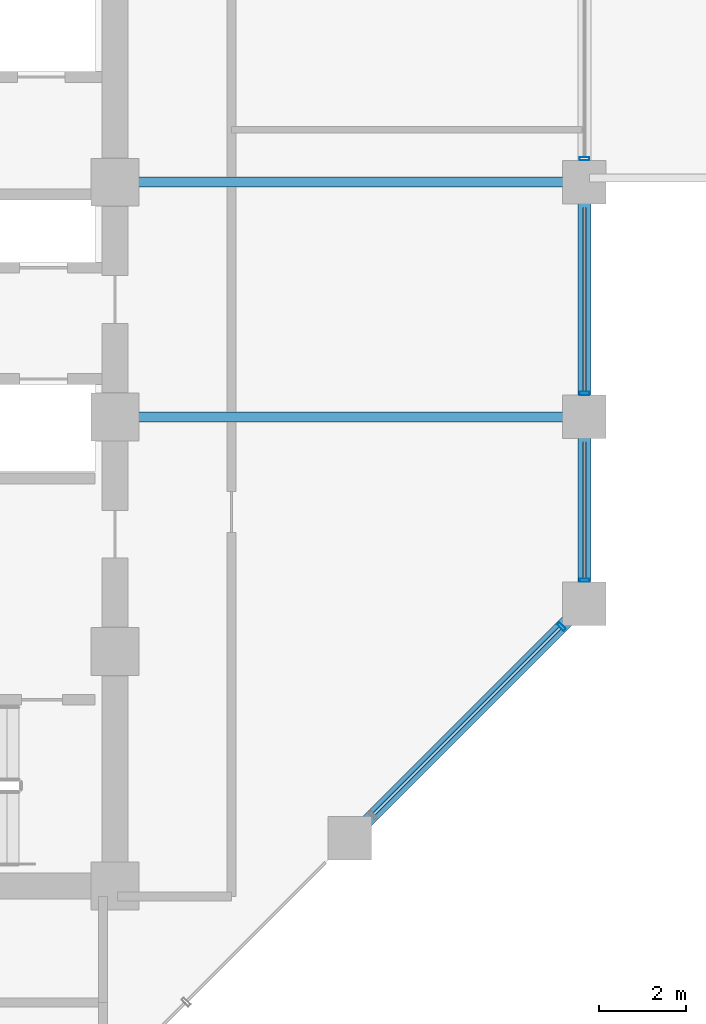
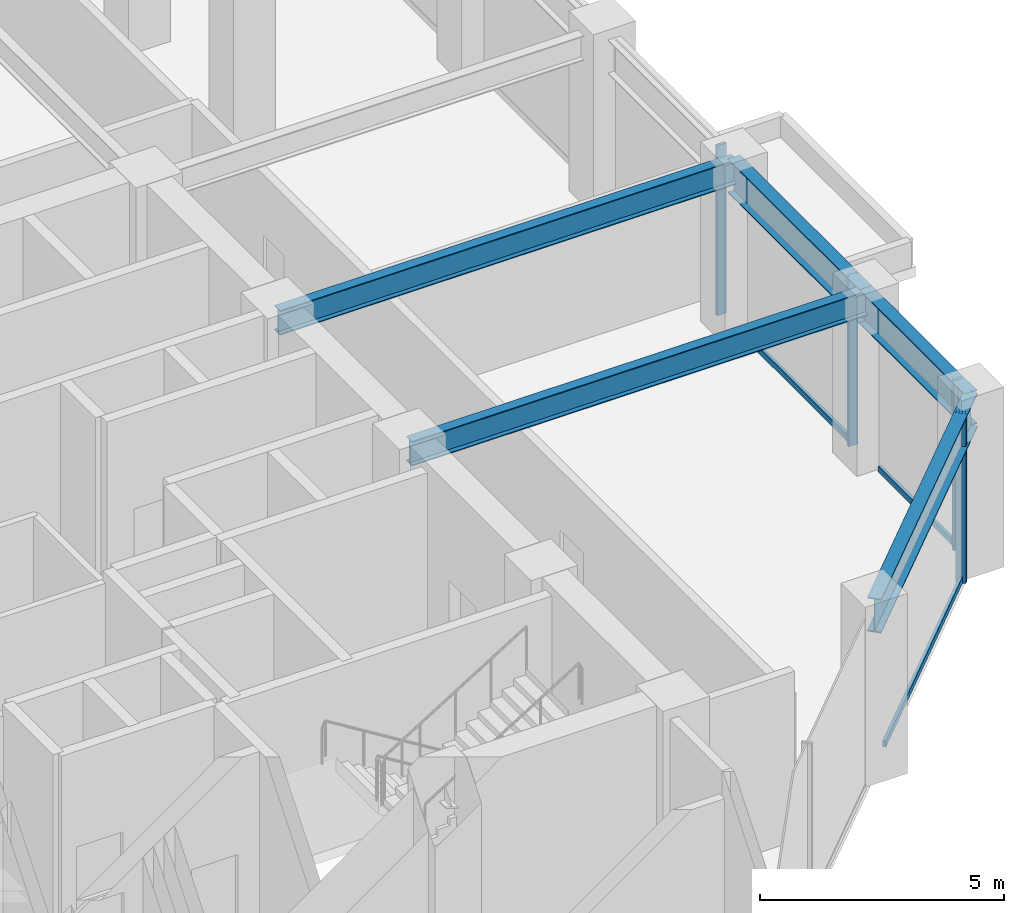
# One storey, part 8 of 25: 7 members, 5 beams, 2 elements without a shape of their own.
"""IFC4 building model written with IfcOpenShell, lengths in metres."""

import ifcopenshell
import ifcopenshell.guid

model = None  # the IFC model being written
_history = None  # IfcOwnerHistory: only IFC2X3 demands one
_inside = {}  # id of a spatial element -> (the spatial element, [elements in it])
_under = {}  # id of a project, library or spatial element -> (it, [spatial elements below it])
_declared = {}  # id of a project -> (the project, [libraries it declares])
_typed = {}  # id of a type object -> (the type object, [elements of that type])
_made_of = {}  # id of a material, layer set ... -> (it, [elements and type objects made of it])


def new_model(schema):
    """Start an empty IFC model of exactly this schema.

    Asked for "IFC4X3", IfcOpenShell would pick the latest addendum, in which some entities
    have other attributes; the version numbers below select the first issue.
    IFC2X3 requires an IfcOwnerHistory on every rooted entity: one is made here for all.
    """
    global model, _history
    if schema == "IFC4X3":
        model = ifcopenshell.file(schema_version=(4, 3, 0, 0))
    else:
        model = ifcopenshell.file(schema=schema)
    _inside.clear()
    _under.clear()
    _declared.clear()
    _typed.clear()
    _made_of.clear()
    _history = None
    if model.schema == "IFC2X3":
        org = make("IfcOrganization", Name="unknown")
        user = make(
            "IfcPersonAndOrganization",
            ThePerson=make("IfcPerson", FamilyName="unknown"),
            TheOrganization=org,
        )
        app = make(
            "IfcApplication",
            ApplicationDeveloper=org,
            Version="unknown",
            ApplicationFullName="unknown",
            ApplicationIdentifier="unknown",
        )
        _history = make(
            "IfcOwnerHistory",
            OwningUser=user,
            OwningApplication=app,
            ChangeAction="ADDED",
            CreationDate=0,
        )
    return model


def make(cls, **values):
    """One entity of the class cls with the attributes given. An attribute that is None is left unset."""
    return model.create_entity(
        cls, **{name: value for name, value in values.items() if value is not None}
    )


def rooted(cls, **values):
    """An entity with a GlobalId (a new one), such as an element, a storey or a relation."""
    return make(cls, GlobalId=ifcopenshell.guid.new(), OwnerHistory=_history, **values)


def si_unit(unit_type, name, prefix=None):
    """IfcSIUnit, for example si_unit("LENGTHUNIT", "METRE", prefix="MILLI")."""
    return make("IfcSIUnit", UnitType=unit_type, Prefix=prefix, Name=name)


def assignment(units):
    """IfcUnitAssignment: the units of a project."""
    return None if units is None else make("IfcUnitAssignment", Units=units)


def point(xyz):
    """IfcCartesianPoint."""
    return None if xyz is None else make("IfcCartesianPoint", Coordinates=xyz)


def direction(xyz):
    """IfcDirection."""
    return None if xyz is None else make("IfcDirection", DirectionRatios=xyz)


def frame(location, z_axis=None, x_axis=None):
    """IfcAxis2Placement3D, a coordinate frame: its origin and axes. An axis left out is left unset."""
    return make(
        "IfcAxis2Placement3D",
        Location=point(location),
        Axis=direction(z_axis),
        RefDirection=direction(x_axis),
    )


def frame_2d(location, x_axis=None):
    """IfcAxis2Placement2D, a coordinate frame in the plane: its origin and x axis."""
    return make(
        "IfcAxis2Placement2D", Location=point(location), RefDirection=direction(x_axis)
    )


def origin():
    """The frame at (0, 0, 0) with its axes left unset."""
    return frame((0.0, 0.0, 0.0))


def origin_2d():
    """The frame at (0, 0) in the plane with its x axis left unset."""
    return frame_2d((0.0, 0.0))


def place(relative_to, where):
    """IfcLocalPlacement: puts the frame where relative to a parent placement (None: the world)."""
    return make(
        "IfcLocalPlacement", PlacementRelTo=relative_to, RelativePlacement=where
    )


def context(
    kind, dimensions, precision=None, world=None, true_north=None, identifier=None
):
    """IfcGeometricRepresentationContext, for example the 3D "Model" context."""
    return make(
        "IfcGeometricRepresentationContext",
        ContextIdentifier=identifier,
        ContextType=kind,
        CoordinateSpaceDimension=dimensions,
        Precision=precision,
        WorldCoordinateSystem=world,
        TrueNorth=true_north,
    )


def subcontext(parent, identifier, kind, view, scale=None):
    """IfcGeometricRepresentationSubContext, for example "Body" below "Model"."""
    return make(
        "IfcGeometricRepresentationSubContext",
        ContextIdentifier=identifier,
        ContextType=kind,
        ParentContext=parent,
        TargetScale=scale,
        TargetView=view,
    )


def project(units=None, contexts=None):
    """IfcProject with its units and contexts."""
    return rooted(
        "IfcProject",
        Name="project",
        RepresentationContexts=contexts,
        UnitsInContext=assignment(units),
    )


def spatial(cls, under=None, at=None, **own):
    """A site, building, storey or space (cls), placed at a placement, below another one or the project."""
    s = rooted(cls, ObjectPlacement=at, **own)
    if under is not None:
        _under.setdefault(under.id(), (under, []))[1].append(s)
    return s


def profile(cls, at=None, kind="AREA", **sizes):
    """A parametric profile (cls). Its sizes go by their IFC names, for example OverallWidth=200.0."""
    return make(cls, ProfileType=kind, Position=at, **sizes)


def hollow_rectangle(**sizes):
    """IfcRectangleHollowProfileDef."""
    return profile("IfcRectangleHollowProfileDef", **sizes)


def i_section(**sizes):
    """IfcIShapeProfileDef."""
    return profile("IfcIShapeProfileDef", **sizes)


def extrude(swept, where, along, depth):
    """IfcExtrudedAreaSolid: the profile swept, set in the frame where, extruded along a direction by depth."""
    return make(
        "IfcExtrudedAreaSolid",
        SweptArea=swept,
        Position=where,
        ExtrudedDirection=direction(along),
        Depth=depth,
    )


def shape(context_of_items, identifier, shape_type, items):
    """IfcShapeRepresentation: the items that make up one representation, for example the "Body"."""
    return make(
        "IfcShapeRepresentation",
        ContextOfItems=context_of_items,
        RepresentationIdentifier=identifier,
        RepresentationType=shape_type,
        Items=items,
    )


def material(Name=None, Category=None):
    """IfcMaterial."""
    return make("IfcMaterial", Name=Name, Category=Category)


def layer(
    of_material, thickness, ventilated=None, Name=None, Category=None, Priority=None
):
    """IfcMaterialLayer: one layer of a wall or slab, of a material (None: an air gap)."""
    return make(
        "IfcMaterialLayer",
        Material=of_material,
        LayerThickness=thickness,
        IsVentilated=ventilated,
        Name=Name,
        Category=Category,
        Priority=Priority,
    )


def layer_set(layers, Name=None):
    """IfcMaterialLayerSet."""
    return make("IfcMaterialLayerSet", MaterialLayers=layers, LayerSetName=Name)


def material_profile(
    of_material, cross_section, Name=None, Category=None, Priority=None
):
    """IfcMaterialProfile: a cross section and its material."""
    return make(
        "IfcMaterialProfile",
        Name=Name,
        Material=of_material,
        Profile=cross_section,
        Priority=Priority,
        Category=Category,
    )


def profile_set(profiles, Name=None, composite=None):
    """IfcMaterialProfileSet."""
    return make(
        "IfcMaterialProfileSet",
        Name=Name,
        MaterialProfiles=profiles,
        CompositeProfile=composite,
    )


def made_of(thing, what):
    """Note that an element or type object is made of a material, layer set ...; save() writes the relation."""
    if what is not None:
        _made_of.setdefault(what.id(), (what, []))[1].append(thing)
    return thing


def type_object(cls, material=None, **own):
    """A type object (cls), such as IfcWallType, which elements share."""
    return made_of(rooted(cls, **own), material)


def element(
    cls,
    number,
    at=None,
    inside=None,
    cuts=None,
    type_object=None,
    material=None,
    context=None,
    identifier="Body",
    shape_type=None,
    held_by="IfcProductDefinitionShape",
    body=None,
    shapes=None,
    **own,
):
    """One element of the class cls, such as IfcWall. Its Tag is "e" and its number.

    at: its placement. inside: the storey or other place that contains it. cuts: it is an
    opening in that element (IfcRelVoidsElement). A single representation is given by context,
    identifier, shape_type and body (its items); several are given by shapes. held_by: the class
    of the entity that holds the representations. save() writes the other relations.
    """
    e = rooted(cls, Tag="e%d" % number, ObjectPlacement=at, **own)
    if body is not None:
        shapes = [shape(context, identifier, shape_type, body)]
    if shapes is not None:
        e.Representation = make(held_by, Representations=shapes)
    if inside is not None:
        _inside.setdefault(inside.id(), (inside, []))[1].append(e)
    if cuts is not None:
        rooted(
            "IfcRelVoidsElement", RelatingBuildingElement=cuts, RelatedOpeningElement=e
        )
    if type_object is not None:
        _typed.setdefault(type_object.id(), (type_object, []))[1].append(e)
    return made_of(e, material)


def aggregate(whole, parts):
    """IfcRelAggregates: a whole, such as a stair, and the parts it consists of."""
    return rooted("IfcRelAggregates", RelatingObject=whole, RelatedObjects=parts)


def save(model, path):
    """Write the relations noted so far, then the file.

    IfcRelAggregates (storeys below a building ...), IfcRelContainedInSpatialStructure (elements
    in a storey), IfcRelDefinesByType, IfcRelAssociatesMaterial and IfcRelDeclares: one each for
    every whole, place, type object, material and project.
    """
    for whole, parts in _under.values():
        aggregate(whole, parts)
    for where, things in _inside.values():
        rooted(
            "IfcRelContainedInSpatialStructure",
            RelatedElements=things,
            RelatingStructure=where,
        )
    for kind, things in _typed.values():
        rooted("IfcRelDefinesByType", RelatedObjects=things, RelatingType=kind)
    for what, things in _made_of.values():
        rooted("IfcRelAssociatesMaterial", RelatedObjects=things, RelatingMaterial=what)
    for by, libraries in _declared.values():
        rooted("IfcRelDeclares", RelatingContext=by, RelatedDefinitions=libraries)
    model.write(path)


model = new_model("IFC4")

# Units and contexts
model_context = context("Model", 3, precision=1e-05, world=origin(), true_north=direction((0.0, 1.0)))
body_context = subcontext(model_context, "Body", "Model", "MODEL_VIEW")
ifc_project = project(units=[si_unit("LENGTHUNIT", "METRE"), si_unit("AREAUNIT", "SQUARE_METRE"), si_unit("VOLUMEUNIT", "CUBIC_METRE"), si_unit("PLANEANGLEUNIT", "RADIAN"), si_unit("MASSUNIT", "GRAM", prefix="KILO")], contexts=[model_context])

# Site, building, storey
site_placement = place(None, origin())
site = spatial("IfcSite", under=ifc_project, at=site_placement, CompositionType="ELEMENT")
building_placement = place(site_placement, origin())
building = spatial("IfcBuilding", under=site, at=building_placement, Name="Surkhivell Harbour Commons", CompositionType="ELEMENT")
storey_placement = place(building_placement, frame((0.0, 0.0, 162.0)))
storey = spatial("IfcBuildingStorey", under=building, at=storey_placement, Name="L42", CompositionType="ELEMENT", Elevation=162.0)

# Beams
ifc_material_1 = material(Name="Steel S355", Category="steel")
ifc_material_profile_1 = material_profile(ifc_material_1, i_section(OverallWidth=0.22998046875, OverallDepth=0.616943359375, WebThickness=0.01318359375, FlangeThickness=0.022216796875, at=origin_2d()), Name="UB610x229x140")
ifc_profile_set_1 = profile_set([ifc_material_profile_1], Name="Steel S355")
beam_type_1 = type_object("IfcBeamType", Name="BM-GRD-610B", PredefinedType="BEAM", material=ifc_profile_set_1)
for number, where, z_axis, x_axis, name in (
    (1, (10.800048828125, 0.0, 3.94140625), (1.0, 0.0, 0.0), (0.0, 1.0, 0.0), "L42 Floor Girder (10.8,0.0)"),
    (2, (10.800048828125, 5.39990234375, 3.94140625), (1.0, 0.0, 0.0), (0.0, 1.0, 0.0), "L42 Floor Girder (10.8,5.4)"),
):
    element("IfcBeam", number, at=place(storey_placement, frame(where, z_axis=z_axis, x_axis=x_axis)), inside=storey, type_object=beam_type_1, Name=name, PredefinedType="BEAM", context=body_context, shape_type="SweptSolid", body=[
        extrude(i_section(OverallWidth=0.22998046875, OverallDepth=0.616943359375, WebThickness=0.01318359375, FlangeThickness=0.022216796875, at=origin_2d()), origin(), (0.0, 0.0, 1.0), 10.800048828125),
    ])
ifc_material_2 = material(Name="Steel S460", Category="steel")
ifc_material_profile_2 = material_profile(ifc_material_2, i_section(OverallWidth=0.2939453125, OverallDepth=0.85107421875, WebThickness=0.01611328125, FlangeThickness=0.02685546875, at=origin_2d()), Name="UB838x292x226")
ifc_profile_set_2 = profile_set([ifc_material_profile_2], Name="Steel S460")
beam_type_2 = type_object("IfcBeamType", Name="BM-SPN-838", PredefinedType="SPANDREL", material=ifc_profile_set_2)
beam_1_placement = place(storey_placement, frame((16.199951171875, -9.699951171875, 3.824462890625), z_axis=(0.707122765516, 0.707090796496, 0.0), x_axis=(-0.707090796496, 0.707122765516, 0.0)))
element("IfcBeam", 3, at=beam_1_placement, inside=storey, type_object=beam_type_2, Name="L42 Tube Spandrel (16.2,-9.7)", PredefinedType="SPANDREL", context=body_context, shape_type="SweptSolid", body=[
    extrude(i_section(OverallWidth=0.2939453125, OverallDepth=0.85107421875, WebThickness=0.01611328125, FlangeThickness=0.02685546875, at=origin_2d()), origin(), (0.0, 0.0, 1.0), 7.63671875),
])
beam_2_placement = place(storey_placement, frame((21.60009765625, -4.300048828125, 3.824462890625), z_axis=(0.0, 1.0, 0.0), x_axis=(-1.0, 0.0, 0.0)))
element("IfcBeam", 4, at=beam_2_placement, inside=storey, type_object=beam_type_2, Name="L42 Tube Spandrel (21.6,-4.3)", PredefinedType="SPANDREL", context=body_context, shape_type="SweptSolid", body=[
    extrude(i_section(OverallWidth=0.2939453125, OverallDepth=0.85107421875, WebThickness=0.01611328125, FlangeThickness=0.02685546875, at=origin_2d()), origin(), (0.0, 0.0, 1.0), 4.300048828125),
])
beam_3_placement = place(storey_placement, frame((21.60009765625, 0.0, 3.824462890625), z_axis=(0.0, 1.0, 0.0), x_axis=(-1.0, 0.0, 0.0)))
element("IfcBeam", 5, at=beam_3_placement, inside=storey, type_object=beam_type_2, Name="L42 Tube Spandrel (21.6,0.0)", PredefinedType="SPANDREL", context=body_context, shape_type="SweptSolid", body=[
    extrude(i_section(OverallWidth=0.2939453125, OverallDepth=0.85107421875, WebThickness=0.01611328125, FlangeThickness=0.02685546875, at=origin_2d()), origin(), (0.0, 0.0, 1.0), 5.39990234375),
])

# Curtain wall, member
ifc_material_3 = material(Name="Anodised pale-metal aluminium and insulated glazing", Category="aluminium")
ifc_layer = layer(ifc_material_3, 0.205078125)
ifc_layer_set = layer_set([ifc_layer], Name="Anodised pale-metal aluminium and insulated glazing")
curtain_wall_type = type_object("IfcCurtainWallType", Name="CW-SYS-Z2", PredefinedType="NOTDEFINED", material=ifc_layer_set)
curtain_wall_1_placement = place(storey_placement, origin())
curtain_wall_1 = element("IfcCurtainWall", 6, at=curtain_wall_1_placement, inside=storey, type_object=curtain_wall_type, Name="L42 Curtain Wall CW-L42-E01", PredefinedType="NOTDEFINED")
ifc_material_4 = material(Name="Anodised pale-metal aluminium alloy 6063-T6", Category="aluminium")
ifc_material_profile_3 = material_profile(ifc_material_4, hollow_rectangle(XDim=0.074951171875, YDim=0.219970703125, WallThickness=0.00390625, at=origin_2d()), Name="ALU-MULL-75x220")
ifc_profile_set_3 = profile_set([ifc_material_profile_3], Name="Anodised pale-metal aluminium alloy 6063-T6")
member_type_1 = type_object("IfcMemberType", Name="CWM-220", PredefinedType="MULLION", material=ifc_profile_set_3)
member_1_placement = place(storey_placement, frame((21.07177734375, -4.828125, 0.0), z_axis=(0.0, 0.0, 1.0), x_axis=(0.707106781187, 0.707106781187, 0.0)))
member_1 = element("IfcMember", 7, at=member_1_placement, type_object=member_type_1, Name="CW-Z2 mullion 6", PredefinedType="MULLION", context=body_context, shape_type="SweptSolid", body=[
    extrude(hollow_rectangle(XDim=0.074951171875, YDim=0.219970703125, WallThickness=0.00390625, at=origin_2d()), origin(), (0.0, 0.0, 1.0), 4.25),
])

# Curtain wall, members
curtain_wall_2_placement = place(storey_placement, origin())
curtain_wall_2 = element("IfcCurtainWall", 8, at=curtain_wall_2_placement, inside=storey, type_object=curtain_wall_type, Name="L42 Curtain Wall CW-L42-E02", PredefinedType="NOTDEFINED")
member_2_placement = place(storey_placement, frame((21.60009765625, -3.760498046875, 0.0), z_axis=(0.0, 0.0, 1.0), x_axis=(0.0, 1.0, 0.0)))
member_2 = element("IfcMember", 9, at=member_2_placement, type_object=member_type_1, Name="CW-Z2 mullion 1", PredefinedType="MULLION", context=body_context, shape_type="SweptSolid", body=[
    extrude(hollow_rectangle(XDim=0.074951171875, YDim=0.219970703125, WallThickness=0.00390625, at=origin_2d()), origin(), (0.0, 0.0, 1.0), 4.25),
])
member_3_placement = place(storey_placement, frame((21.60009765625, 0.53955078125, 0.0), z_axis=(0.0, 0.0, 1.0), x_axis=(0.0, 1.0, 0.0)))
member_3 = element("IfcMember", 10, at=member_3_placement, type_object=member_type_1, Name="CW-Z2 mullion 2", PredefinedType="MULLION", context=body_context, shape_type="SweptSolid", body=[
    extrude(hollow_rectangle(XDim=0.074951171875, YDim=0.219970703125, WallThickness=0.00390625, at=origin_2d()), origin(), (0.0, 0.0, 1.0), 4.25),
])
member_4_placement = place(storey_placement, frame((21.60009765625, 5.939453125, 0.0), z_axis=(0.0, 0.0, 1.0), x_axis=(0.0, 1.0, 0.0)))
member_4 = element("IfcMember", 11, at=member_4_placement, type_object=member_type_1, Name="CW-Z2 mullion 3", PredefinedType="MULLION", context=body_context, shape_type="SweptSolid", body=[
    extrude(hollow_rectangle(XDim=0.074951171875, YDim=0.219970703125, WallThickness=0.00390625, at=origin_2d()), origin(), (0.0, 0.0, 1.0), 4.25),
])

# Member
ifc_material_profile_4 = material_profile(ifc_material_4, hollow_rectangle(XDim=0.074951171875, YDim=0.14990234375, WallThickness=0.00341796875, at=origin_2d()), Name="ALU-TRAN-75x150")
ifc_profile_set_4 = profile_set([ifc_material_profile_4], Name="Anodised pale-metal aluminium alloy 6063-T6")
member_type_2 = type_object("IfcMemberType", Name="CWT-150", PredefinedType="USERDEFINED", material=ifc_profile_set_4)
member_5_placement = place(storey_placement, frame((16.754638671875, -9.145263671875, 0.074951171875), z_axis=(0.707106781187, 0.707106781187, 0.0), x_axis=(-0.707106781187, 0.707106781187, 0.0)))
member_5 = element("IfcMember", 12, at=member_5_placement, type_object=member_type_2, Name="CW-Z2 transom 5.1", ObjectType="TRANSOM", PredefinedType="USERDEFINED", context=body_context, shape_type="SweptSolid", body=[
    extrude(hollow_rectangle(XDim=0.074951171875, YDim=0.14990234375, WallThickness=0.00341796875, at=origin_2d()), origin(), (0.0, 0.0, 1.0), 6.067626953125),
])

aggregate(curtain_wall_1, [member_1, member_5])

member_6_placement = place(storey_placement, frame((21.60009765625, -3.722900390625, 0.074951171875), z_axis=(0.0, 1.0, 0.0), x_axis=(-1.0, 0.0, 0.0)))
member_6 = element("IfcMember", 13, at=member_6_placement, type_object=member_type_2, Name="CW-Z2 transom 1.1", ObjectType="TRANSOM", PredefinedType="USERDEFINED", context=body_context, shape_type="SweptSolid", body=[
    extrude(hollow_rectangle(XDim=0.074951171875, YDim=0.14990234375, WallThickness=0.00341796875, at=origin_2d()), origin(), (0.0, 0.0, 1.0), 3.14599609375),
])

member_7_placement = place(storey_placement, frame((21.60009765625, 0.576904296875, 0.074951171875), z_axis=(0.0, 1.0, 0.0), x_axis=(-1.0, 0.0, 0.0)))
member_7 = element("IfcMember", 14, at=member_7_placement, type_object=member_type_2, Name="CW-Z2 transom 2.1", ObjectType="TRANSOM", PredefinedType="USERDEFINED", context=body_context, shape_type="SweptSolid", body=[
    extrude(hollow_rectangle(XDim=0.074951171875, YDim=0.14990234375, WallThickness=0.00341796875, at=origin_2d()), origin(), (0.0, 0.0, 1.0), 4.24609375),
])

aggregate(curtain_wall_2, [member_2, member_6, member_3, member_7, member_4])

save(model, "model.ifc")
